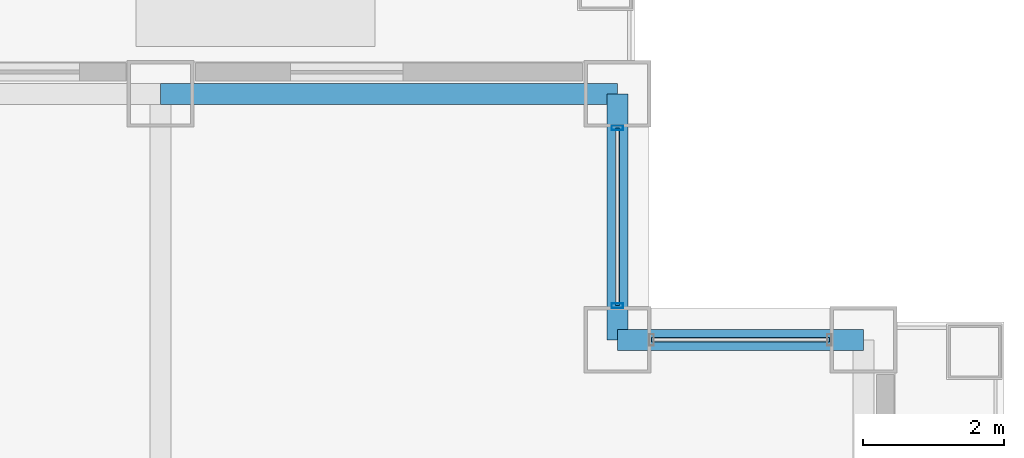
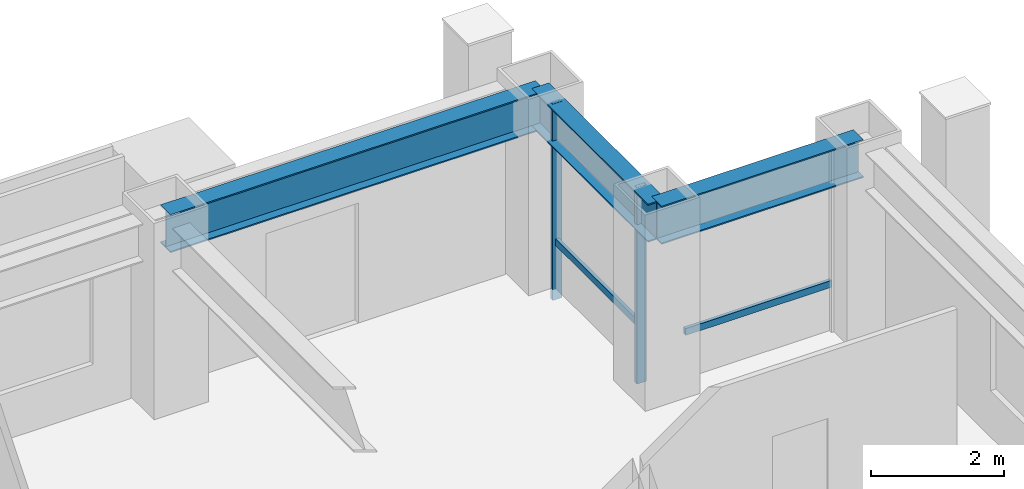
# One storey, part 23 of 33: 4 members, 3 beams, 2 elements without a shape of their own.
"""IFC4 building model written with IfcOpenShell, lengths in metres."""

from ifc_helpers import new_model, si_unit, direction, frame, origin, origin_2d, place, context, subcontext, project, spatial, hollow_rectangle, i_section, extrude, material, layer, layer_set, material_profile, profile_set, type_object, element, aggregate, save


model = new_model("IFC4")

# Units and contexts
model_context = context("Model", 3, precision=1e-05, world=origin(), true_north=direction((0.0, 1.0)))
body_context = subcontext(model_context, "Body", "Model", "MODEL_VIEW")
ifc_project = project(units=[si_unit("LENGTHUNIT", "METRE"), si_unit("AREAUNIT", "SQUARE_METRE"), si_unit("VOLUMEUNIT", "CUBIC_METRE"), si_unit("PLANEANGLEUNIT", "RADIAN"), si_unit("MASSUNIT", "GRAM", prefix="KILO")], contexts=[model_context])

# Site, building, storey
site_placement = place(None, origin())
site = spatial("IfcSite", under=ifc_project, at=site_placement, CompositionType="ELEMENT")
building_placement = place(site_placement, origin())
building = spatial("IfcBuilding", under=site, at=building_placement, Name="Brelmoor Portico Tower", CompositionType="ELEMENT")
storey_placement = place(building_placement, frame((0.0, 0.0, 34.800048828125)))
storey = spatial("IfcBuildingStorey", under=building, at=storey_placement, Name="L08", CompositionType="ELEMENT", Elevation=34.800048828125)

# Beams
ifc_material_1 = material(Name="Steel Q355B", Category="steel")
ifc_material_profile_1 = material_profile(ifc_material_1, i_section(OverallWidth=0.300048828125, OverallDepth=0.699951171875, WebThickness=0.012939453125, FlangeThickness=0.02392578125, at=origin_2d()), Name="HN 700x300x13x24")
ifc_profile_set_1 = profile_set([ifc_material_profile_1], Name="Steel Q355B")
beam_type = type_object("IfcBeamType", Name="BM-SP-700", PredefinedType="SPANDREL", material=ifc_profile_set_1)
beam_1_placement = place(storey_placement, frame((21.050048828125, 18.050048828125, 3.050048828125), z_axis=(1.0, 0.0, 0.0), x_axis=(0.0, 1.0, 0.0)))
element("IfcBeam", 1, at=beam_1_placement, inside=storey, type_object=beam_type, Name="L08 Perimeter Spandrel Beam SP-09", PredefinedType="SPANDREL", context=body_context, shape_type="SweptSolid", body=[
    extrude(i_section(OverallWidth=0.300048828125, OverallDepth=0.699951171875, WebThickness=0.012939453125, FlangeThickness=0.02392578125, at=origin_2d()), origin(), (0.0, 0.0, 1.0), 3.5),
])
beam_2_placement = place(storey_placement, frame((14.550048828125, 21.550048828125, 3.050048828125), z_axis=(1.0, 0.0, 0.0), x_axis=(0.0, 1.0, 0.0)))
element("IfcBeam", 2, at=beam_2_placement, inside=storey, type_object=beam_type, Name="L08 Perimeter Spandrel Beam SP-14", PredefinedType="SPANDREL", context=body_context, shape_type="SweptSolid", body=[
    extrude(i_section(OverallWidth=0.300048828125, OverallDepth=0.699951171875, WebThickness=0.012939453125, FlangeThickness=0.02392578125, at=origin_2d()), origin(), (0.0, 0.0, 1.0), 6.5),
])
beam_3_placement = place(storey_placement, frame((21.050048828125, 18.050048828125, 3.050048828125), z_axis=(0.0, 1.0, 0.0), x_axis=(-1.0, 0.0, 0.0)))
element("IfcBeam", 3, at=beam_3_placement, inside=storey, type_object=beam_type, Name="L08 Perimeter Spandrel Beam SP-21", PredefinedType="SPANDREL", context=body_context, shape_type="SweptSolid", body=[
    extrude(i_section(OverallWidth=0.300048828125, OverallDepth=0.699951171875, WebThickness=0.012939453125, FlangeThickness=0.02392578125, at=origin_2d()), origin(), (0.0, 0.0, 1.0), 3.5),
])

# Curtain wall, members
ifc_material_2 = material(Name="Anodised Aluminium Alloy 6063-T6", Category="aluminium")
ifc_layer = layer(ifc_material_2, 0.179931640625)
ifc_layer_set = layer_set([ifc_layer], Name="Anodised Aluminium Alloy 6063-T6")
curtain_wall_type = type_object("IfcCurtainWallType", Name="CW-NOTCH-CHAMFER", PredefinedType="NOTDEFINED", material=ifc_layer_set)
curtain_wall_1_placement = place(storey_placement, origin())
curtain_wall_1 = element("IfcCurtainWall", 4, at=curtain_wall_1_placement, inside=storey, type_object=curtain_wall_type, Name="L08 Curtain Wall CWN-L08-NEV", PredefinedType="NOTDEFINED")
ifc_material_profile_2 = material_profile(ifc_material_2, hollow_rectangle(XDim=0.06494140625, YDim=0.1650390625, WallThickness=0.00390625, at=origin_2d()), Name="ALU MULLION 65x165")
ifc_profile_set_2 = profile_set([ifc_material_profile_2], Name="Anodised Aluminium Alloy 6063-T6")
member_type_1 = type_object("IfcMemberType", Name="MB-CW-MULL-165", PredefinedType="MULLION", material=ifc_profile_set_2)
member_1_placement = place(storey_placement, frame((21.050048828125, 18.534912109375, -0.199951171875), z_axis=(0.0, 0.0, 1.0), x_axis=(0.0, 1.0, 0.0)))
member_1 = element("IfcMember", 5, at=member_1_placement, type_object=member_type_1, Name="CWN-L08-NEV Mullion 00", PredefinedType="MULLION", context=body_context, shape_type="SweptSolid", body=[
    extrude(hollow_rectangle(XDim=0.06494140625, YDim=0.1650390625, WallThickness=0.00390625, at=origin_2d()), origin(), (0.0, 0.0, 1.0), 3.599853515625),
])
member_2_placement = place(storey_placement, frame((21.050048828125, 21.06494140625, -0.199951171875), z_axis=(0.0, 0.0, 1.0), x_axis=(0.0, 1.0, 0.0)))
member_2 = element("IfcMember", 6, at=member_2_placement, type_object=member_type_1, Name="CWN-L08-NEV Mullion 01", PredefinedType="MULLION", context=body_context, shape_type="SweptSolid", body=[
    extrude(hollow_rectangle(XDim=0.06494140625, YDim=0.1650390625, WallThickness=0.00390625, at=origin_2d()), origin(), (0.0, 0.0, 1.0), 3.599853515625),
])

# Curtain wall, member
curtain_wall_2_placement = place(storey_placement, origin())
curtain_wall_2 = element("IfcCurtainWall", 7, at=curtain_wall_2_placement, inside=storey, type_object=curtain_wall_type, Name="L08 Curtain Wall CWN-L08-NEH", PredefinedType="NOTDEFINED")
ifc_material_profile_3 = material_profile(ifc_material_2, hollow_rectangle(XDim=0.06005859375, YDim=0.125, WallThickness=0.00341796875, at=origin_2d()), Name="ALU TRANSOM 60x125")
ifc_profile_set_3 = profile_set([ifc_material_profile_3], Name="Anodised Aluminium Alloy 6063-T6")
member_type_2 = type_object("IfcMemberType", Name="MB-CW-TRAN-125", PredefinedType="USERDEFINED", material=ifc_profile_set_3)
member_3_placement = place(storey_placement, frame((21.534912109375, 18.050048828125, 0.849853515625), z_axis=(1.0, 0.0, 0.0), x_axis=(0.0, 1.0, 0.0)))
member_3 = element("IfcMember", 8, at=member_3_placement, type_object=member_type_2, Name="CWN-L08-NEH Transom 1-00", ObjectType="TRANSOM", PredefinedType="USERDEFINED", context=body_context, shape_type="SweptSolid", body=[
    extrude(hollow_rectangle(XDim=0.06005859375, YDim=0.125, WallThickness=0.00341796875, at=origin_2d()), origin(), (0.0, 0.0, 1.0), 2.530029296875),
])
aggregate(curtain_wall_2, [member_3])

# Member
member_4_placement = place(storey_placement, frame((21.050048828125, 18.534912109375, 0.849853515625), z_axis=(0.0, 1.0, 0.0), x_axis=(-1.0, 0.0, 0.0)))
member_4 = element("IfcMember", 9, at=member_4_placement, type_object=member_type_2, Name="CWN-L08-NEV Transom 1-00", ObjectType="TRANSOM", PredefinedType="USERDEFINED", context=body_context, shape_type="SweptSolid", body=[
    extrude(hollow_rectangle(XDim=0.06005859375, YDim=0.125, WallThickness=0.00341796875, at=origin_2d()), origin(), (0.0, 0.0, 1.0), 2.530029296875),
])

aggregate(curtain_wall_1, [member_1, member_2, member_4])

save(model, "model.ifc")
